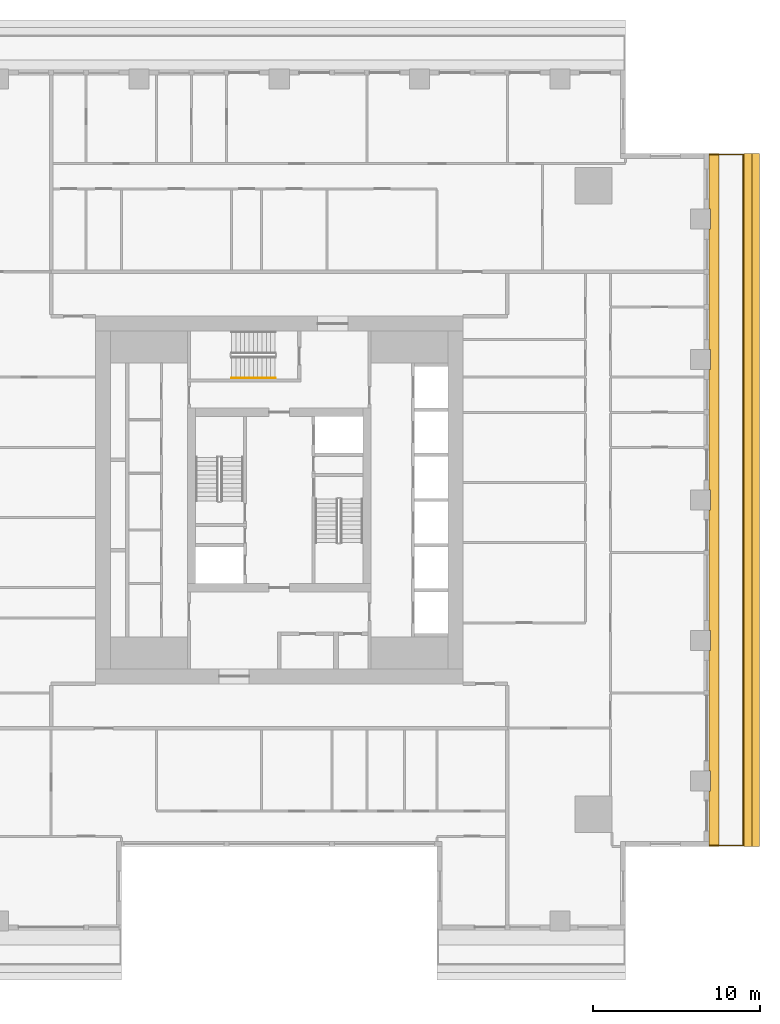
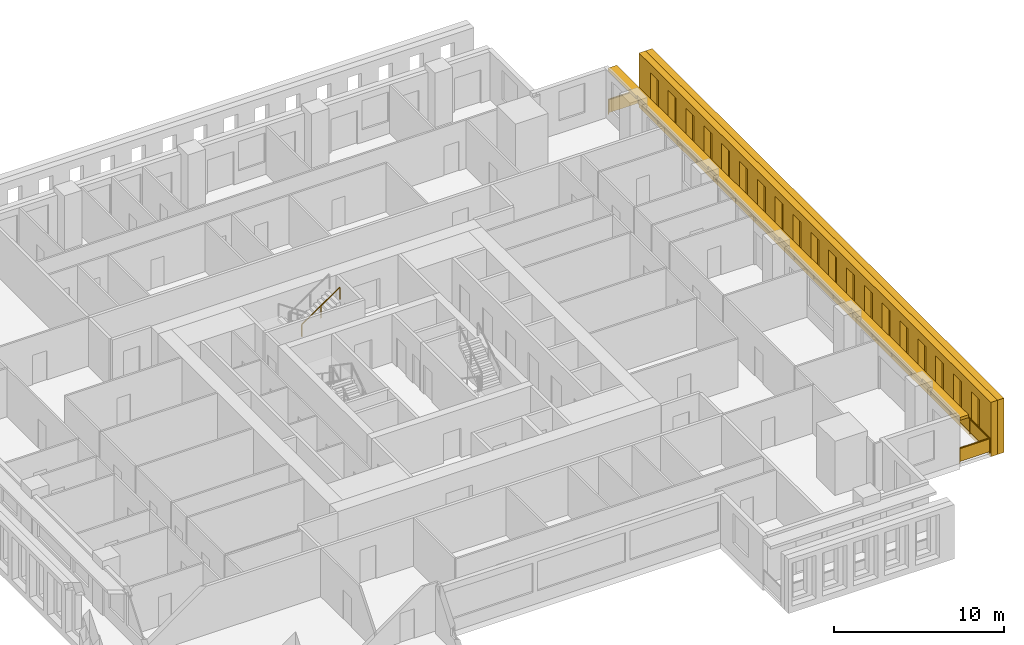
# One storey, part 12 of 14: 3 shading devices, 2 railings.
"""IFC4 building model written with IfcOpenShell, lengths in metres."""

import ifcopenshell
import ifcopenshell.guid

model = None  # the IFC model being written
_history = None  # IfcOwnerHistory: only IFC2X3 demands one
_inside = {}  # id of a spatial element -> (the spatial element, [elements in it])
_under = {}  # id of a project, library or spatial element -> (it, [spatial elements below it])
_declared = {}  # id of a project -> (the project, [libraries it declares])
_typed = {}  # id of a type object -> (the type object, [elements of that type])
_made_of = {}  # id of a material, layer set ... -> (it, [elements and type objects made of it])


def new_model(schema):
    """Start an empty IFC model of exactly this schema.

    Asked for "IFC4X3", IfcOpenShell would pick the latest addendum, in which some entities
    have other attributes; the version numbers below select the first issue.
    IFC2X3 requires an IfcOwnerHistory on every rooted entity: one is made here for all.
    """
    global model, _history
    if schema == "IFC4X3":
        model = ifcopenshell.file(schema_version=(4, 3, 0, 0))
    else:
        model = ifcopenshell.file(schema=schema)
    _inside.clear()
    _under.clear()
    _declared.clear()
    _typed.clear()
    _made_of.clear()
    _history = None
    if model.schema == "IFC2X3":
        org = make("IfcOrganization", Name="unknown")
        user = make(
            "IfcPersonAndOrganization",
            ThePerson=make("IfcPerson", FamilyName="unknown"),
            TheOrganization=org,
        )
        app = make(
            "IfcApplication",
            ApplicationDeveloper=org,
            Version="unknown",
            ApplicationFullName="unknown",
            ApplicationIdentifier="unknown",
        )
        _history = make(
            "IfcOwnerHistory",
            OwningUser=user,
            OwningApplication=app,
            ChangeAction="ADDED",
            CreationDate=0,
        )
    return model


def make(cls, **values):
    """One entity of the class cls with the attributes given. An attribute that is None is left unset."""
    return model.create_entity(
        cls, **{name: value for name, value in values.items() if value is not None}
    )


def rooted(cls, **values):
    """An entity with a GlobalId (a new one), such as an element, a storey or a relation."""
    return make(cls, GlobalId=ifcopenshell.guid.new(), OwnerHistory=_history, **values)


def si_unit(unit_type, name, prefix=None):
    """IfcSIUnit, for example si_unit("LENGTHUNIT", "METRE", prefix="MILLI")."""
    return make("IfcSIUnit", UnitType=unit_type, Prefix=prefix, Name=name)


def assignment(units):
    """IfcUnitAssignment: the units of a project."""
    return None if units is None else make("IfcUnitAssignment", Units=units)


def point(xyz):
    """IfcCartesianPoint."""
    return None if xyz is None else make("IfcCartesianPoint", Coordinates=xyz)


def direction(xyz):
    """IfcDirection."""
    return None if xyz is None else make("IfcDirection", DirectionRatios=xyz)


def frame(location, z_axis=None, x_axis=None):
    """IfcAxis2Placement3D, a coordinate frame: its origin and axes. An axis left out is left unset."""
    return make(
        "IfcAxis2Placement3D",
        Location=point(location),
        Axis=direction(z_axis),
        RefDirection=direction(x_axis),
    )


def frame_2d(location, x_axis=None):
    """IfcAxis2Placement2D, a coordinate frame in the plane: its origin and x axis."""
    return make(
        "IfcAxis2Placement2D", Location=point(location), RefDirection=direction(x_axis)
    )


def origin():
    """The frame at (0, 0, 0) with its axes left unset."""
    return frame((0.0, 0.0, 0.0))


def origin_2d():
    """The frame at (0, 0) in the plane with its x axis left unset."""
    return frame_2d((0.0, 0.0))


def place(relative_to, where):
    """IfcLocalPlacement: puts the frame where relative to a parent placement (None: the world)."""
    return make(
        "IfcLocalPlacement", PlacementRelTo=relative_to, RelativePlacement=where
    )


def context(
    kind, dimensions, precision=None, world=None, true_north=None, identifier=None
):
    """IfcGeometricRepresentationContext, for example the 3D "Model" context."""
    return make(
        "IfcGeometricRepresentationContext",
        ContextIdentifier=identifier,
        ContextType=kind,
        CoordinateSpaceDimension=dimensions,
        Precision=precision,
        WorldCoordinateSystem=world,
        TrueNorth=true_north,
    )


def subcontext(parent, identifier, kind, view, scale=None):
    """IfcGeometricRepresentationSubContext, for example "Body" below "Model"."""
    return make(
        "IfcGeometricRepresentationSubContext",
        ContextIdentifier=identifier,
        ContextType=kind,
        ParentContext=parent,
        TargetScale=scale,
        TargetView=view,
    )


def project(units=None, contexts=None):
    """IfcProject with its units and contexts."""
    return rooted(
        "IfcProject",
        Name="project",
        RepresentationContexts=contexts,
        UnitsInContext=assignment(units),
    )


def spatial(cls, under=None, at=None, **own):
    """A site, building, storey or space (cls), placed at a placement, below another one or the project."""
    s = rooted(cls, ObjectPlacement=at, **own)
    if under is not None:
        _under.setdefault(under.id(), (under, []))[1].append(s)
    return s


def polyline(points):
    """IfcPolyline through the points."""
    return make("IfcPolyline", Points=[point(p) for p in points])


def profile(cls, at=None, kind="AREA", **sizes):
    """A parametric profile (cls). Its sizes go by their IFC names, for example OverallWidth=200.0."""
    return make(cls, ProfileType=kind, Position=at, **sizes)


def rectangle(**sizes):
    """IfcRectangleProfileDef."""
    return profile("IfcRectangleProfileDef", **sizes)


def outline(outer, holes=None, kind="AREA"):
    """IfcArbitraryClosedProfileDef: a profile drawn as a closed curve; with holes, ...WithVoids."""
    if holes is None:
        return make("IfcArbitraryClosedProfileDef", ProfileType=kind, OuterCurve=outer)
    return make(
        "IfcArbitraryProfileDefWithVoids",
        ProfileType=kind,
        OuterCurve=outer,
        InnerCurves=holes,
    )


def extrude(swept, where, along, depth):
    """IfcExtrudedAreaSolid: the profile swept, set in the frame where, extruded along a direction by depth."""
    return make(
        "IfcExtrudedAreaSolid",
        SweptArea=swept,
        Position=where,
        ExtrudedDirection=direction(along),
        Depth=depth,
    )


def shape(context_of_items, identifier, shape_type, items):
    """IfcShapeRepresentation: the items that make up one representation, for example the "Body"."""
    return make(
        "IfcShapeRepresentation",
        ContextOfItems=context_of_items,
        RepresentationIdentifier=identifier,
        RepresentationType=shape_type,
        Items=items,
    )


def material(Name=None, Category=None):
    """IfcMaterial."""
    return make("IfcMaterial", Name=Name, Category=Category)


def layer(
    of_material, thickness, ventilated=None, Name=None, Category=None, Priority=None
):
    """IfcMaterialLayer: one layer of a wall or slab, of a material (None: an air gap)."""
    return make(
        "IfcMaterialLayer",
        Material=of_material,
        LayerThickness=thickness,
        IsVentilated=ventilated,
        Name=Name,
        Category=Category,
        Priority=Priority,
    )


def layer_set(layers, Name=None):
    """IfcMaterialLayerSet."""
    return make("IfcMaterialLayerSet", MaterialLayers=layers, LayerSetName=Name)


def made_of(thing, what):
    """Note that an element or type object is made of a material, layer set ...; save() writes the relation."""
    if what is not None:
        _made_of.setdefault(what.id(), (what, []))[1].append(thing)
    return thing


def type_object(cls, material=None, **own):
    """A type object (cls), such as IfcWallType, which elements share."""
    return made_of(rooted(cls, **own), material)


def element(
    cls,
    number,
    at=None,
    inside=None,
    cuts=None,
    type_object=None,
    material=None,
    context=None,
    identifier="Body",
    shape_type=None,
    held_by="IfcProductDefinitionShape",
    body=None,
    shapes=None,
    **own,
):
    """One element of the class cls, such as IfcWall. Its Tag is "e" and its number.

    at: its placement. inside: the storey or other place that contains it. cuts: it is an
    opening in that element (IfcRelVoidsElement). A single representation is given by context,
    identifier, shape_type and body (its items); several are given by shapes. held_by: the class
    of the entity that holds the representations. save() writes the other relations.
    """
    e = rooted(cls, Tag="e%d" % number, ObjectPlacement=at, **own)
    if body is not None:
        shapes = [shape(context, identifier, shape_type, body)]
    if shapes is not None:
        e.Representation = make(held_by, Representations=shapes)
    if inside is not None:
        _inside.setdefault(inside.id(), (inside, []))[1].append(e)
    if cuts is not None:
        rooted(
            "IfcRelVoidsElement", RelatingBuildingElement=cuts, RelatedOpeningElement=e
        )
    if type_object is not None:
        _typed.setdefault(type_object.id(), (type_object, []))[1].append(e)
    return made_of(e, material)


def aggregate(whole, parts):
    """IfcRelAggregates: a whole, such as a stair, and the parts it consists of."""
    return rooted("IfcRelAggregates", RelatingObject=whole, RelatedObjects=parts)


def save(model, path):
    """Write the relations noted so far, then the file.

    IfcRelAggregates (storeys below a building ...), IfcRelContainedInSpatialStructure (elements
    in a storey), IfcRelDefinesByType, IfcRelAssociatesMaterial and IfcRelDeclares: one each for
    every whole, place, type object, material and project.
    """
    for whole, parts in _under.values():
        aggregate(whole, parts)
    for where, things in _inside.values():
        rooted(
            "IfcRelContainedInSpatialStructure",
            RelatedElements=things,
            RelatingStructure=where,
        )
    for kind, things in _typed.values():
        rooted("IfcRelDefinesByType", RelatedObjects=things, RelatingType=kind)
    for what, things in _made_of.values():
        rooted("IfcRelAssociatesMaterial", RelatedObjects=things, RelatingMaterial=what)
    for by, libraries in _declared.values():
        rooted("IfcRelDeclares", RelatingContext=by, RelatedDefinitions=libraries)
    model.write(path)


model = new_model("IFC4")

# Units and contexts
model_context = context("Model", 3, precision=1e-05, world=origin(), true_north=direction((0.0, 1.0)))
body_context = subcontext(model_context, "Body", "Model", "MODEL_VIEW")
ifc_project = project(units=[si_unit("LENGTHUNIT", "METRE"), si_unit("AREAUNIT", "SQUARE_METRE"), si_unit("VOLUMEUNIT", "CUBIC_METRE"), si_unit("PLANEANGLEUNIT", "RADIAN"), si_unit("MASSUNIT", "GRAM", prefix="KILO")], contexts=[model_context])

# Site, building, storey
site_placement = place(None, origin())
site = spatial("IfcSite", under=ifc_project, at=site_placement, CompositionType="ELEMENT")
building_placement = place(site_placement, origin())
building = spatial("IfcBuilding", under=site, at=building_placement, Name="Khepri Terraces", CompositionType="ELEMENT")
storey_placement = place(building_placement, frame((0.0, 0.0, 267.89990234375)))
storey = spatial("IfcBuildingStorey", under=building, at=storey_placement, Name="L64", CompositionType="ELEMENT", Elevation=267.89990234375)

# Railings
ifc_material_1 = material(Name="Stainless steel grade 316", Category="steel")
railing_type_1 = type_object("IfcRailingType", Name="GRD-BAL-1100", PredefinedType="GUARDRAIL", material=ifc_material_1)
railing_1_placement = place(storey_placement, frame((25.719970703125, -20.669921875, 0.0)))
element("IfcRailing", 1, at=railing_1_placement, inside=storey, type_object=railing_type_1, Name="Balcony guard L64 E", PredefinedType="GUARDRAIL", context=body_context, shape_type="SweptSolid", body=[
    extrude(rectangle(XDim=0.050048828125, YDim=0.06005859375, at=origin_2d()), frame((0.0, 0.0, 1.070068359375), z_axis=(1.0, 0.0, 0.0), x_axis=(0.0, 1.0, 0.0)), (0.0, 0.0, 1.0), 2.050048828125),
    extrude(rectangle(XDim=2.0, YDim=0.011962890625, at=origin_2d()), frame((1.02490234375, 0.0, 0.10009765625), z_axis=(0.0, 0.0, 1.0), x_axis=(1.0, 0.0, 0.0)), (0.0, 0.0, 1.0), 0.93994140625),
    extrude(rectangle(XDim=0.050048828125, YDim=0.06005859375, at=origin_2d()), frame((2.050048828125, 0.0, 1.070068359375), z_axis=(0.0, 1.0, 0.0), x_axis=(-1.0, 0.0, 0.0)), (0.0, 0.0, 1.0), 41.33984375),
    extrude(rectangle(XDim=2.24658203125, YDim=0.011962890625, at=origin_2d()), frame((2.050048828125, 1.1484375, 0.10009765625), z_axis=(0.0, 0.0, 1.0), x_axis=(0.0, 1.0, 0.0)), (0.0, 0.0, 1.0), 0.93994140625),
    extrude(rectangle(XDim=2.24658203125, YDim=0.011962890625, at=origin_2d()), frame((2.050048828125, 3.445068359375, 0.10009765625), z_axis=(0.0, 0.0, 1.0), x_axis=(0.0, 1.0, 0.0)), (0.0, 0.0, 1.0), 0.93994140625),
    extrude(rectangle(XDim=2.24658203125, YDim=0.011962890625, at=origin_2d()), frame((2.050048828125, 5.74169921875, 0.10009765625), z_axis=(0.0, 0.0, 1.0), x_axis=(0.0, 1.0, 0.0)), (0.0, 0.0, 1.0), 0.93994140625),
    extrude(rectangle(XDim=2.24658203125, YDim=0.011962890625, at=origin_2d()), frame((2.050048828125, 8.038330078125, 0.10009765625), z_axis=(0.0, 0.0, 1.0), x_axis=(0.0, 1.0, 0.0)), (0.0, 0.0, 1.0), 0.93994140625),
    extrude(rectangle(XDim=2.24658203125, YDim=0.011962890625, at=origin_2d()), frame((2.050048828125, 10.3349609375, 0.10009765625), z_axis=(0.0, 0.0, 1.0), x_axis=(0.0, 1.0, 0.0)), (0.0, 0.0, 1.0), 0.93994140625),
    extrude(rectangle(XDim=2.24658203125, YDim=0.011962890625, at=origin_2d()), frame((2.050048828125, 12.631591796875, 0.10009765625), z_axis=(0.0, 0.0, 1.0), x_axis=(0.0, 1.0, 0.0)), (0.0, 0.0, 1.0), 0.93994140625),
    extrude(rectangle(XDim=2.24658203125, YDim=0.011962890625, at=origin_2d()), frame((2.050048828125, 14.92822265625, 0.10009765625), z_axis=(0.0, 0.0, 1.0), x_axis=(0.0, 1.0, 0.0)), (0.0, 0.0, 1.0), 0.93994140625),
    extrude(rectangle(XDim=2.24658203125, YDim=0.011962890625, at=origin_2d()), frame((2.050048828125, 17.224853515625, 0.10009765625), z_axis=(0.0, 0.0, 1.0), x_axis=(0.0, 1.0, 0.0)), (0.0, 0.0, 1.0), 0.93994140625),
    extrude(rectangle(XDim=2.24658203125, YDim=0.011962890625, at=origin_2d()), frame((2.050048828125, 19.521484375, 0.10009765625), z_axis=(0.0, 0.0, 1.0), x_axis=(0.0, 1.0, 0.0)), (0.0, 0.0, 1.0), 0.93994140625),
    extrude(rectangle(XDim=2.24658203125, YDim=0.011962890625, at=origin_2d()), frame((2.050048828125, 21.818359375, 0.10009765625), z_axis=(0.0, 0.0, 1.0), x_axis=(0.0, 1.0, 0.0)), (0.0, 0.0, 1.0), 0.93994140625),
    extrude(rectangle(XDim=2.24658203125, YDim=0.011962890625, at=origin_2d()), frame((2.050048828125, 24.114990234375, 0.10009765625), z_axis=(0.0, 0.0, 1.0), x_axis=(0.0, 1.0, 0.0)), (0.0, 0.0, 1.0), 0.93994140625),
    extrude(rectangle(XDim=2.24658203125, YDim=0.011962890625, at=origin_2d()), frame((2.050048828125, 26.41162109375, 0.10009765625), z_axis=(0.0, 0.0, 1.0), x_axis=(0.0, 1.0, 0.0)), (0.0, 0.0, 1.0), 0.93994140625),
    extrude(rectangle(XDim=2.24658203125, YDim=0.011962890625, at=origin_2d()), frame((2.050048828125, 28.708251953125, 0.10009765625), z_axis=(0.0, 0.0, 1.0), x_axis=(0.0, 1.0, 0.0)), (0.0, 0.0, 1.0), 0.93994140625),
    extrude(rectangle(XDim=2.24658203125, YDim=0.011962890625, at=origin_2d()), frame((2.050048828125, 31.0048828125, 0.10009765625), z_axis=(0.0, 0.0, 1.0), x_axis=(0.0, 1.0, 0.0)), (0.0, 0.0, 1.0), 0.93994140625),
    extrude(rectangle(XDim=2.24658203125, YDim=0.011962890625, at=origin_2d()), frame((2.050048828125, 33.301513671875, 0.10009765625), z_axis=(0.0, 0.0, 1.0), x_axis=(0.0, 1.0, 0.0)), (0.0, 0.0, 1.0), 0.93994140625),
    extrude(rectangle(XDim=2.24658203125, YDim=0.011962890625, at=origin_2d()), frame((2.050048828125, 35.59814453125, 0.10009765625), z_axis=(0.0, 0.0, 1.0), x_axis=(0.0, 1.0, 0.0)), (0.0, 0.0, 1.0), 0.93994140625),
    extrude(rectangle(XDim=2.24658203125, YDim=0.011962890625, at=origin_2d()), frame((2.050048828125, 37.894775390625, 0.10009765625), z_axis=(0.0, 0.0, 1.0), x_axis=(0.0, 1.0, 0.0)), (0.0, 0.0, 1.0), 0.93994140625),
    extrude(rectangle(XDim=2.24658203125, YDim=0.011962890625, at=origin_2d()), frame((2.050048828125, 40.19140625, 0.10009765625), z_axis=(0.0, 0.0, 1.0), x_axis=(0.0, 1.0, 0.0)), (0.0, 0.0, 1.0), 0.93994140625),
    extrude(rectangle(XDim=0.050048828125, YDim=0.06005859375, at=origin_2d()), frame((2.050048828125, 41.33984375, 1.070068359375), z_axis=(-1.0, 0.0, 0.0), x_axis=(0.0, -1.0, 0.0)), (0.0, 0.0, 1.0), 2.050048828125),
    extrude(rectangle(XDim=2.0, YDim=0.011962890625, at=origin_2d()), frame((1.02490234375, 41.33984375, 0.10009765625), z_axis=(0.0, 0.0, 1.0), x_axis=(-1.0, 0.0, 0.0)), (0.0, 0.0, 1.0), 0.93994140625),
    extrude(rectangle(XDim=0.050048828125, YDim=0.050048828125, at=origin_2d()), origin(), (0.0, 0.0, 1.0), 1.0400390625),
    extrude(rectangle(XDim=0.050048828125, YDim=0.050048828125, at=origin_2d()), frame((2.050048828125, 0.0, 0.0)), (0.0, 0.0, 1.0), 1.0400390625),
    extrude(rectangle(XDim=0.050048828125, YDim=0.050048828125, at=origin_2d()), frame((2.050048828125, 2.296630859375, 0.0)), (0.0, 0.0, 1.0), 1.0400390625),
    extrude(rectangle(XDim=0.050048828125, YDim=0.050048828125, at=origin_2d()), frame((2.050048828125, 4.59326171875, 0.0)), (0.0, 0.0, 1.0), 1.0400390625),
    extrude(rectangle(XDim=0.050048828125, YDim=0.050048828125, at=origin_2d()), frame((2.050048828125, 6.889892578125, 0.0)), (0.0, 0.0, 1.0), 1.0400390625),
    extrude(rectangle(XDim=0.050048828125, YDim=0.050048828125, at=origin_2d()), frame((2.050048828125, 9.1865234375, 0.0)), (0.0, 0.0, 1.0), 1.0400390625),
    extrude(rectangle(XDim=0.050048828125, YDim=0.050048828125, at=origin_2d()), frame((2.050048828125, 11.4833984375, 0.0)), (0.0, 0.0, 1.0), 1.0400390625),
    extrude(rectangle(XDim=0.050048828125, YDim=0.050048828125, at=origin_2d()), frame((2.050048828125, 13.780029296875, 0.0)), (0.0, 0.0, 1.0), 1.0400390625),
    extrude(rectangle(XDim=0.050048828125, YDim=0.050048828125, at=origin_2d()), frame((2.050048828125, 16.07666015625, 0.0)), (0.0, 0.0, 1.0), 1.0400390625),
    extrude(rectangle(XDim=0.050048828125, YDim=0.050048828125, at=origin_2d()), frame((2.050048828125, 18.373291015625, 0.0)), (0.0, 0.0, 1.0), 1.0400390625),
    extrude(rectangle(XDim=0.050048828125, YDim=0.050048828125, at=origin_2d()), frame((2.050048828125, 20.669921875, 0.0)), (0.0, 0.0, 1.0), 1.0400390625),
    extrude(rectangle(XDim=0.050048828125, YDim=0.050048828125, at=origin_2d()), frame((2.050048828125, 22.966552734375, 0.0)), (0.0, 0.0, 1.0), 1.0400390625),
    extrude(rectangle(XDim=0.050048828125, YDim=0.050048828125, at=origin_2d()), frame((2.050048828125, 25.26318359375, 0.0)), (0.0, 0.0, 1.0), 1.0400390625),
    extrude(rectangle(XDim=0.050048828125, YDim=0.050048828125, at=origin_2d()), frame((2.050048828125, 27.559814453125, 0.0)), (0.0, 0.0, 1.0), 1.0400390625),
    extrude(rectangle(XDim=0.050048828125, YDim=0.050048828125, at=origin_2d()), frame((2.050048828125, 29.8564453125, 0.0)), (0.0, 0.0, 1.0), 1.0400390625),
    extrude(rectangle(XDim=0.050048828125, YDim=0.050048828125, at=origin_2d()), frame((2.050048828125, 32.1533203125, 0.0)), (0.0, 0.0, 1.0), 1.0400390625),
    extrude(rectangle(XDim=0.050048828125, YDim=0.050048828125, at=origin_2d()), frame((2.050048828125, 34.449951171875, 0.0)), (0.0, 0.0, 1.0), 1.0400390625),
    extrude(rectangle(XDim=0.050048828125, YDim=0.050048828125, at=origin_2d()), frame((2.050048828125, 36.74658203125, 0.0)), (0.0, 0.0, 1.0), 1.0400390625),
    extrude(rectangle(XDim=0.050048828125, YDim=0.050048828125, at=origin_2d()), frame((2.050048828125, 39.043212890625, 0.0)), (0.0, 0.0, 1.0), 1.0400390625),
    extrude(rectangle(XDim=0.050048828125, YDim=0.050048828125, at=origin_2d()), frame((2.050048828125, 41.33984375, 0.0)), (0.0, 0.0, 1.0), 1.0400390625),
    extrude(rectangle(XDim=0.050048828125, YDim=0.050048828125, at=origin_2d()), frame((0.0, 41.33984375, 0.0)), (0.0, 0.0, 1.0), 1.0400390625),
])
ifc_material_2 = material(Name="Stainless steel 316", Category="steel")
railing_type_2 = type_object("IfcRailingType", Name="RL-CORE-HANDRAIL", PredefinedType="HANDRAIL", material=ifc_material_2)
railing_2_placement = place(storey_placement, frame((-2.85009765625, 7.300048828125, 2.12744140625)))
element("IfcRailing", 2, at=railing_2_placement, inside=storey, type_object=railing_type_2, Name="L64 ST-3 stair handrail 2", PredefinedType="HANDRAIL", context=body_context, shape_type="SweptSolid", body=[
    extrude(rectangle(XDim=0.050048828125, YDim=0.050048828125, at=origin_2d()), frame((0.0, 0.0, 0.875), z_axis=(0.826240473404, 0.0, 0.563317565952), x_axis=(0.0, 1.0, 0.0)), (0.0, 0.0, 1.0), 3.14697265625),
    extrude(rectangle(XDim=0.050048828125, YDim=0.050048828125, at=origin_2d()), origin(), (0.0, 0.0, 1.0), 0.849853515625),
    extrude(rectangle(XDim=0.050048828125, YDim=0.050048828125, at=origin_2d()), frame((1.300048828125, 0.0, 0.88623046875)), (0.0, 0.0, 1.0), 0.849853515625),
    extrude(rectangle(XDim=0.050048828125, YDim=0.050048828125, at=origin_2d()), frame((2.60009765625, 0.0, 1.772705078125)), (0.0, 0.0, 1.0), 0.849853515625),
])

# Shading devices
ifc_material_3 = material(Name="Precast concrete C50/60 warm stone", Category="masonry")
shading_device_type_1 = type_object("IfcShadingDeviceType", Name="SCR-CELL-INNER-450", PredefinedType="USERDEFINED", material=ifc_material_3)
shading_device_1_placement = place(storey_placement, frame((27.820068359375, -20.719970703125, -0.25), z_axis=(1.0, 0.0, 0.0), x_axis=(0.0, 1.0, 0.0)))
element("IfcShadingDevice", 3, at=shading_device_1_placement, inside=storey, type_object=shading_device_type_1, Name="Cell screen L64 E in", ObjectType="SCREEN", PredefinedType="USERDEFINED", context=body_context, shape_type="SweptSolid", body=[
    extrude(outline(polyline([(0.0, 0.0), (41.43994140625, 0.0), (41.43994140625, 3.89990234375), (0.0, 3.89990234375), (0.0, 0.0)]), holes=[polyline([(1.347412109375, 0.699951171875), (2.29248046875, 0.699951171875), (2.29248046875, 3.300048828125), (1.347412109375, 3.300048828125), (1.347412109375, 0.699951171875)]), polyline([(3.447509765625, 0.699951171875), (4.392578125, 0.699951171875), (4.392578125, 3.300048828125), (3.447509765625, 3.300048828125), (3.447509765625, 0.699951171875)]), polyline([(5.547607421875, 0.699951171875), (6.492431640625, 0.699951171875), (6.492431640625, 3.300048828125), (5.547607421875, 3.300048828125), (5.547607421875, 0.699951171875)]), polyline([(7.6474609375, 0.699951171875), (8.592529296875, 0.699951171875), (8.592529296875, 3.300048828125), (7.6474609375, 3.300048828125), (7.6474609375, 0.699951171875)]), polyline([(9.74755859375, 0.699951171875), (10.6923828125, 0.699951171875), (10.6923828125, 3.300048828125), (9.74755859375, 3.300048828125), (9.74755859375, 0.699951171875)]), polyline([(11.847412109375, 0.699951171875), (12.79248046875, 0.699951171875), (12.79248046875, 3.300048828125), (11.847412109375, 3.300048828125), (11.847412109375, 0.699951171875)]), polyline([(13.947509765625, 0.699951171875), (14.892578125, 0.699951171875), (14.892578125, 3.300048828125), (13.947509765625, 3.300048828125), (13.947509765625, 0.699951171875)]), polyline([(16.047607421875, 0.699951171875), (16.992431640625, 0.699951171875), (16.992431640625, 3.300048828125), (16.047607421875, 3.300048828125), (16.047607421875, 0.699951171875)]), polyline([(18.1474609375, 0.699951171875), (19.092529296875, 0.699951171875), (19.092529296875, 3.300048828125), (18.1474609375, 3.300048828125), (18.1474609375, 0.699951171875)]), polyline([(20.24755859375, 0.699951171875), (21.1923828125, 0.699951171875), (21.1923828125, 3.300048828125), (20.24755859375, 3.300048828125), (20.24755859375, 0.699951171875)]), polyline([(22.347412109375, 0.699951171875), (23.29248046875, 0.699951171875), (23.29248046875, 3.300048828125), (22.347412109375, 3.300048828125), (22.347412109375, 0.699951171875)]), polyline([(24.447509765625, 0.699951171875), (25.392578125, 0.699951171875), (25.392578125, 3.300048828125), (24.447509765625, 3.300048828125), (24.447509765625, 0.699951171875)]), polyline([(26.547607421875, 0.699951171875), (27.492431640625, 0.699951171875), (27.492431640625, 3.300048828125), (26.547607421875, 3.300048828125), (26.547607421875, 0.699951171875)]), polyline([(28.6474609375, 0.699951171875), (29.592529296875, 0.699951171875), (29.592529296875, 3.300048828125), (28.6474609375, 3.300048828125), (28.6474609375, 0.699951171875)]), polyline([(30.74755859375, 0.699951171875), (31.6923828125, 0.699951171875), (31.6923828125, 3.300048828125), (30.74755859375, 3.300048828125), (30.74755859375, 0.699951171875)]), polyline([(32.847412109375, 0.699951171875), (33.79248046875, 0.699951171875), (33.79248046875, 3.300048828125), (32.847412109375, 3.300048828125), (32.847412109375, 0.699951171875)]), polyline([(34.947509765625, 0.699951171875), (35.892578125, 0.699951171875), (35.892578125, 3.300048828125), (34.947509765625, 3.300048828125), (34.947509765625, 0.699951171875)]), polyline([(37.047607421875, 0.699951171875), (37.992431640625, 0.699951171875), (37.992431640625, 3.300048828125), (37.047607421875, 3.300048828125), (37.047607421875, 0.699951171875)]), polyline([(39.1474609375, 0.699951171875), (40.092529296875, 0.699951171875), (40.092529296875, 3.300048828125), (39.1474609375, 3.300048828125), (39.1474609375, 0.699951171875)])]), origin(), (0.0, 0.0, 1.0), 0.449951171875),
])
shading_device_type_2 = type_object("IfcShadingDeviceType", Name="SCR-CELL-OUTER-450", PredefinedType="USERDEFINED", material=ifc_material_3)
shading_device_2_placement = place(storey_placement, frame((28.27001953125, -20.719970703125, -0.25), z_axis=(1.0, 0.0, 0.0), x_axis=(0.0, 1.0, 0.0)))
element("IfcShadingDevice", 4, at=shading_device_2_placement, inside=storey, type_object=shading_device_type_2, Name="Cell screen L64 E out", ObjectType="SCREEN", PredefinedType="USERDEFINED", context=body_context, shape_type="SweptSolid", body=[
    extrude(outline(polyline([(0.0, 0.0), (41.43994140625, 0.0), (41.43994140625, 3.89990234375), (0.0, 3.89990234375), (0.0, 0.0)]), holes=[polyline([(0.99755859375, 0.449951171875), (2.642578125, 0.449951171875), (2.642578125, 3.550048828125), (0.99755859375, 3.550048828125), (0.99755859375, 0.449951171875)]), polyline([(3.097412109375, 0.449951171875), (4.742431640625, 0.449951171875), (4.742431640625, 3.550048828125), (3.097412109375, 3.550048828125), (3.097412109375, 0.449951171875)]), polyline([(5.197509765625, 0.449951171875), (6.842529296875, 0.449951171875), (6.842529296875, 3.550048828125), (5.197509765625, 3.550048828125), (5.197509765625, 0.449951171875)]), polyline([(7.297607421875, 0.449951171875), (8.9423828125, 0.449951171875), (8.9423828125, 3.550048828125), (7.297607421875, 3.550048828125), (7.297607421875, 0.449951171875)]), polyline([(9.3974609375, 0.449951171875), (11.04248046875, 0.449951171875), (11.04248046875, 3.550048828125), (9.3974609375, 3.550048828125), (9.3974609375, 0.449951171875)]), polyline([(11.49755859375, 0.449951171875), (13.142578125, 0.449951171875), (13.142578125, 3.550048828125), (11.49755859375, 3.550048828125), (11.49755859375, 0.449951171875)]), polyline([(13.597412109375, 0.449951171875), (15.242431640625, 0.449951171875), (15.242431640625, 3.550048828125), (13.597412109375, 3.550048828125), (13.597412109375, 0.449951171875)]), polyline([(15.697509765625, 0.449951171875), (17.342529296875, 0.449951171875), (17.342529296875, 3.550048828125), (15.697509765625, 3.550048828125), (15.697509765625, 0.449951171875)]), polyline([(17.797607421875, 0.449951171875), (19.4423828125, 0.449951171875), (19.4423828125, 3.550048828125), (17.797607421875, 3.550048828125), (17.797607421875, 0.449951171875)]), polyline([(19.8974609375, 0.449951171875), (21.54248046875, 0.449951171875), (21.54248046875, 3.550048828125), (19.8974609375, 3.550048828125), (19.8974609375, 0.449951171875)]), polyline([(21.99755859375, 0.449951171875), (23.642578125, 0.449951171875), (23.642578125, 3.550048828125), (21.99755859375, 3.550048828125), (21.99755859375, 0.449951171875)]), polyline([(24.097412109375, 0.449951171875), (25.742431640625, 0.449951171875), (25.742431640625, 3.550048828125), (24.097412109375, 3.550048828125), (24.097412109375, 0.449951171875)]), polyline([(26.197509765625, 0.449951171875), (27.842529296875, 0.449951171875), (27.842529296875, 3.550048828125), (26.197509765625, 3.550048828125), (26.197509765625, 0.449951171875)]), polyline([(28.297607421875, 0.449951171875), (29.9423828125, 0.449951171875), (29.9423828125, 3.550048828125), (28.297607421875, 3.550048828125), (28.297607421875, 0.449951171875)]), polyline([(30.3974609375, 0.449951171875), (32.04248046875, 0.449951171875), (32.04248046875, 3.550048828125), (30.3974609375, 3.550048828125), (30.3974609375, 0.449951171875)]), polyline([(32.49755859375, 0.449951171875), (34.142578125, 0.449951171875), (34.142578125, 3.550048828125), (32.49755859375, 3.550048828125), (32.49755859375, 0.449951171875)]), polyline([(34.597412109375, 0.449951171875), (36.242431640625, 0.449951171875), (36.242431640625, 3.550048828125), (34.597412109375, 3.550048828125), (34.597412109375, 0.449951171875)]), polyline([(36.697509765625, 0.449951171875), (38.342529296875, 0.449951171875), (38.342529296875, 3.550048828125), (36.697509765625, 3.550048828125), (36.697509765625, 0.449951171875)]), polyline([(38.797607421875, 0.449951171875), (40.4423828125, 0.449951171875), (40.4423828125, 3.550048828125), (38.797607421875, 3.550048828125), (38.797607421875, 0.449951171875)])]), origin(), (0.0, 0.0, 1.0), 0.449951171875),
])
ifc_layer = layer(ifc_material_3, 0.199951171875, Name="Precast concrete C50/60 warm stone", Category="masonry")
ifc_layer_set = layer_set([ifc_layer], Name="Precast concrete C50/60 warm stone")
shading_device_type_3 = type_object("IfcShadingDeviceType", Name="SSH-BAND-STONE-200-N", PredefinedType="USERDEFINED", material=ifc_layer_set)
shading_device_3_placement = place(storey_placement, frame((0.0, 0.0, 3.10009765625)))
element("IfcShadingDevice", 5, at=shading_device_3_placement, inside=storey, type_object=shading_device_type_3, Name="Sunshade band L64 E", ObjectType="SUNSHADE", PredefinedType="USERDEFINED", context=body_context, shape_type="SweptSolid", body=[
    extrude(outline(polyline([(25.719970703125, -17.39990234375), (25.719970703125, -20.719970703125), (26.320068359375, -20.719970703125), (26.320068359375, 20.719970703125), (25.719970703125, 20.719970703125), (25.719970703125, 17.39990234375), (25.800048828125, 17.39990234375), (25.800048828125, 16.199951171875), (25.719970703125, 16.199951171875), (25.719970703125, 9.0), (25.800048828125, 9.0), (25.800048828125, 7.800048828125), (25.719970703125, 7.800048828125), (25.719970703125, 0.60009765625), (25.800048828125, 0.60009765625), (25.800048828125, -0.60009765625), (25.719970703125, -0.60009765625), (25.719970703125, -7.800048828125), (25.800048828125, -7.800048828125), (25.800048828125, -9.0), (25.719970703125, -9.0), (25.719970703125, -16.199951171875), (25.800048828125, -16.199951171875), (25.800048828125, -17.39990234375), (25.719970703125, -17.39990234375)])), origin(), (0.0, 0.0, 1.0), 0.199951171875),
])

save(model, "model.ifc")
